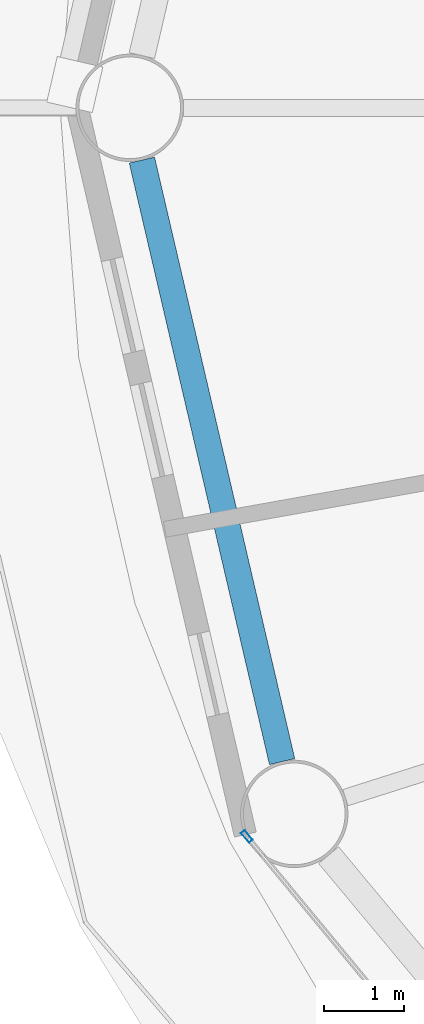
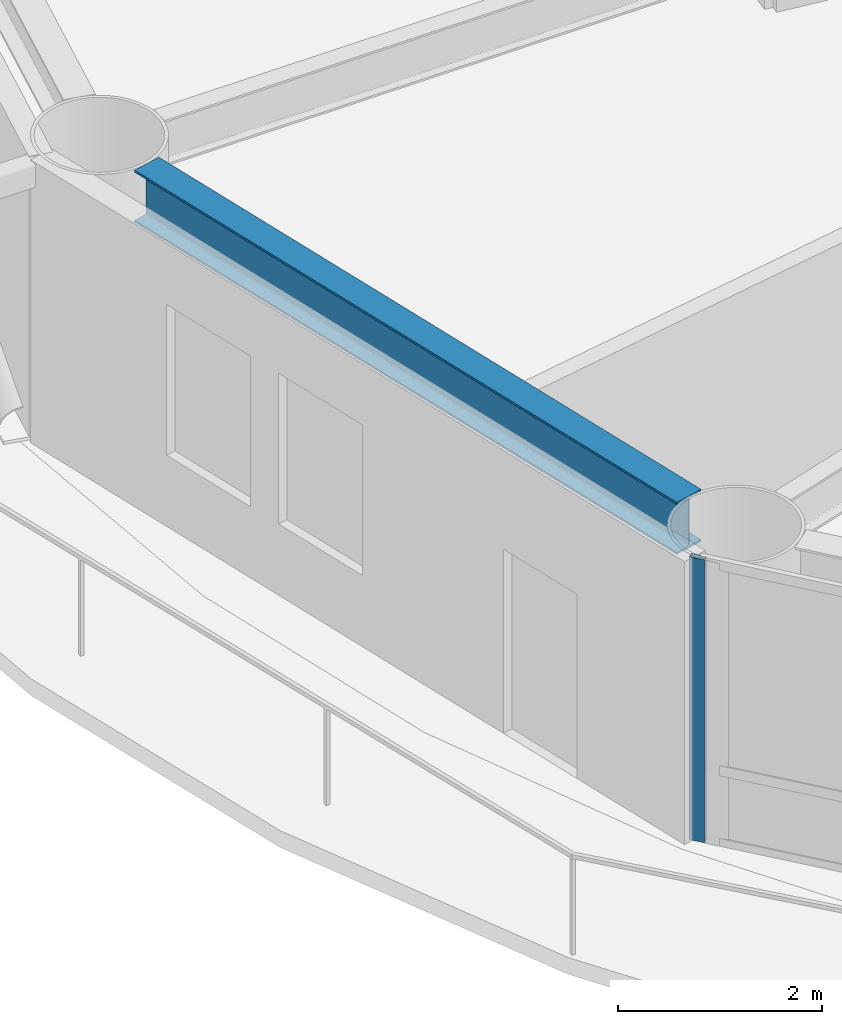
# One storey, part 4 of 26: 1 beam, 1 member, 1 element without a shape of its own.
"""IFC4 building model written with IfcOpenShell, lengths in metres."""

import ifcopenshell
import ifcopenshell.guid

model = None  # the IFC model being written
_history = None  # IfcOwnerHistory: only IFC2X3 demands one
_inside = {}  # id of a spatial element -> (the spatial element, [elements in it])
_under = {}  # id of a project, library or spatial element -> (it, [spatial elements below it])
_declared = {}  # id of a project -> (the project, [libraries it declares])
_typed = {}  # id of a type object -> (the type object, [elements of that type])
_made_of = {}  # id of a material, layer set ... -> (it, [elements and type objects made of it])


def new_model(schema):
    """Start an empty IFC model of exactly this schema.

    Asked for "IFC4X3", IfcOpenShell would pick the latest addendum, in which some entities
    have other attributes; the version numbers below select the first issue.
    IFC2X3 requires an IfcOwnerHistory on every rooted entity: one is made here for all.
    """
    global model, _history
    if schema == "IFC4X3":
        model = ifcopenshell.file(schema_version=(4, 3, 0, 0))
    else:
        model = ifcopenshell.file(schema=schema)
    _inside.clear()
    _under.clear()
    _declared.clear()
    _typed.clear()
    _made_of.clear()
    _history = None
    if model.schema == "IFC2X3":
        org = make("IfcOrganization", Name="unknown")
        user = make(
            "IfcPersonAndOrganization",
            ThePerson=make("IfcPerson", FamilyName="unknown"),
            TheOrganization=org,
        )
        app = make(
            "IfcApplication",
            ApplicationDeveloper=org,
            Version="unknown",
            ApplicationFullName="unknown",
            ApplicationIdentifier="unknown",
        )
        _history = make(
            "IfcOwnerHistory",
            OwningUser=user,
            OwningApplication=app,
            ChangeAction="ADDED",
            CreationDate=0,
        )
    return model


def make(cls, **values):
    """One entity of the class cls with the attributes given. An attribute that is None is left unset."""
    return model.create_entity(
        cls, **{name: value for name, value in values.items() if value is not None}
    )


def rooted(cls, **values):
    """An entity with a GlobalId (a new one), such as an element, a storey or a relation."""
    return make(cls, GlobalId=ifcopenshell.guid.new(), OwnerHistory=_history, **values)


def si_unit(unit_type, name, prefix=None):
    """IfcSIUnit, for example si_unit("LENGTHUNIT", "METRE", prefix="MILLI")."""
    return make("IfcSIUnit", UnitType=unit_type, Prefix=prefix, Name=name)


def assignment(units):
    """IfcUnitAssignment: the units of a project."""
    return None if units is None else make("IfcUnitAssignment", Units=units)


def point(xyz):
    """IfcCartesianPoint."""
    return None if xyz is None else make("IfcCartesianPoint", Coordinates=xyz)


def direction(xyz):
    """IfcDirection."""
    return None if xyz is None else make("IfcDirection", DirectionRatios=xyz)


def frame(location, z_axis=None, x_axis=None):
    """IfcAxis2Placement3D, a coordinate frame: its origin and axes. An axis left out is left unset."""
    return make(
        "IfcAxis2Placement3D",
        Location=point(location),
        Axis=direction(z_axis),
        RefDirection=direction(x_axis),
    )


def frame_2d(location, x_axis=None):
    """IfcAxis2Placement2D, a coordinate frame in the plane: its origin and x axis."""
    return make(
        "IfcAxis2Placement2D", Location=point(location), RefDirection=direction(x_axis)
    )


def origin():
    """The frame at (0, 0, 0) with its axes left unset."""
    return frame((0.0, 0.0, 0.0))


def origin_2d():
    """The frame at (0, 0) in the plane with its x axis left unset."""
    return frame_2d((0.0, 0.0))


def place(relative_to, where):
    """IfcLocalPlacement: puts the frame where relative to a parent placement (None: the world)."""
    return make(
        "IfcLocalPlacement", PlacementRelTo=relative_to, RelativePlacement=where
    )


def context(
    kind, dimensions, precision=None, world=None, true_north=None, identifier=None
):
    """IfcGeometricRepresentationContext, for example the 3D "Model" context."""
    return make(
        "IfcGeometricRepresentationContext",
        ContextIdentifier=identifier,
        ContextType=kind,
        CoordinateSpaceDimension=dimensions,
        Precision=precision,
        WorldCoordinateSystem=world,
        TrueNorth=true_north,
    )


def subcontext(parent, identifier, kind, view, scale=None):
    """IfcGeometricRepresentationSubContext, for example "Body" below "Model"."""
    return make(
        "IfcGeometricRepresentationSubContext",
        ContextIdentifier=identifier,
        ContextType=kind,
        ParentContext=parent,
        TargetScale=scale,
        TargetView=view,
    )


def project(units=None, contexts=None):
    """IfcProject with its units and contexts."""
    return rooted(
        "IfcProject",
        Name="project",
        RepresentationContexts=contexts,
        UnitsInContext=assignment(units),
    )


def spatial(cls, under=None, at=None, **own):
    """A site, building, storey or space (cls), placed at a placement, below another one or the project."""
    s = rooted(cls, ObjectPlacement=at, **own)
    if under is not None:
        _under.setdefault(under.id(), (under, []))[1].append(s)
    return s


def profile(cls, at=None, kind="AREA", **sizes):
    """A parametric profile (cls). Its sizes go by their IFC names, for example OverallWidth=200.0."""
    return make(cls, ProfileType=kind, Position=at, **sizes)


def hollow_rectangle(**sizes):
    """IfcRectangleHollowProfileDef."""
    return profile("IfcRectangleHollowProfileDef", **sizes)


def i_section(**sizes):
    """IfcIShapeProfileDef."""
    return profile("IfcIShapeProfileDef", **sizes)


def extrude(swept, where, along, depth):
    """IfcExtrudedAreaSolid: the profile swept, set in the frame where, extruded along a direction by depth."""
    return make(
        "IfcExtrudedAreaSolid",
        SweptArea=swept,
        Position=where,
        ExtrudedDirection=direction(along),
        Depth=depth,
    )


def shape(context_of_items, identifier, shape_type, items):
    """IfcShapeRepresentation: the items that make up one representation, for example the "Body"."""
    return make(
        "IfcShapeRepresentation",
        ContextOfItems=context_of_items,
        RepresentationIdentifier=identifier,
        RepresentationType=shape_type,
        Items=items,
    )


def material(Name=None, Category=None):
    """IfcMaterial."""
    return make("IfcMaterial", Name=Name, Category=Category)


def layer(
    of_material, thickness, ventilated=None, Name=None, Category=None, Priority=None
):
    """IfcMaterialLayer: one layer of a wall or slab, of a material (None: an air gap)."""
    return make(
        "IfcMaterialLayer",
        Material=of_material,
        LayerThickness=thickness,
        IsVentilated=ventilated,
        Name=Name,
        Category=Category,
        Priority=Priority,
    )


def layer_set(layers, Name=None):
    """IfcMaterialLayerSet."""
    return make("IfcMaterialLayerSet", MaterialLayers=layers, LayerSetName=Name)


def material_profile(
    of_material, cross_section, Name=None, Category=None, Priority=None
):
    """IfcMaterialProfile: a cross section and its material."""
    return make(
        "IfcMaterialProfile",
        Name=Name,
        Material=of_material,
        Profile=cross_section,
        Priority=Priority,
        Category=Category,
    )


def profile_set(profiles, Name=None, composite=None):
    """IfcMaterialProfileSet."""
    return make(
        "IfcMaterialProfileSet",
        Name=Name,
        MaterialProfiles=profiles,
        CompositeProfile=composite,
    )


def made_of(thing, what):
    """Note that an element or type object is made of a material, layer set ...; save() writes the relation."""
    if what is not None:
        _made_of.setdefault(what.id(), (what, []))[1].append(thing)
    return thing


def type_object(cls, material=None, **own):
    """A type object (cls), such as IfcWallType, which elements share."""
    return made_of(rooted(cls, **own), material)


def element(
    cls,
    number,
    at=None,
    inside=None,
    cuts=None,
    type_object=None,
    material=None,
    context=None,
    identifier="Body",
    shape_type=None,
    held_by="IfcProductDefinitionShape",
    body=None,
    shapes=None,
    **own,
):
    """One element of the class cls, such as IfcWall. Its Tag is "e" and its number.

    at: its placement. inside: the storey or other place that contains it. cuts: it is an
    opening in that element (IfcRelVoidsElement). A single representation is given by context,
    identifier, shape_type and body (its items); several are given by shapes. held_by: the class
    of the entity that holds the representations. save() writes the other relations.
    """
    e = rooted(cls, Tag="e%d" % number, ObjectPlacement=at, **own)
    if body is not None:
        shapes = [shape(context, identifier, shape_type, body)]
    if shapes is not None:
        e.Representation = make(held_by, Representations=shapes)
    if inside is not None:
        _inside.setdefault(inside.id(), (inside, []))[1].append(e)
    if cuts is not None:
        rooted(
            "IfcRelVoidsElement", RelatingBuildingElement=cuts, RelatedOpeningElement=e
        )
    if type_object is not None:
        _typed.setdefault(type_object.id(), (type_object, []))[1].append(e)
    return made_of(e, material)


def aggregate(whole, parts):
    """IfcRelAggregates: a whole, such as a stair, and the parts it consists of."""
    return rooted("IfcRelAggregates", RelatingObject=whole, RelatedObjects=parts)


def save(model, path):
    """Write the relations noted so far, then the file.

    IfcRelAggregates (storeys below a building ...), IfcRelContainedInSpatialStructure (elements
    in a storey), IfcRelDefinesByType, IfcRelAssociatesMaterial and IfcRelDeclares: one each for
    every whole, place, type object, material and project.
    """
    for whole, parts in _under.values():
        aggregate(whole, parts)
    for where, things in _inside.values():
        rooted(
            "IfcRelContainedInSpatialStructure",
            RelatedElements=things,
            RelatingStructure=where,
        )
    for kind, things in _typed.values():
        rooted("IfcRelDefinesByType", RelatedObjects=things, RelatingType=kind)
    for what, things in _made_of.values():
        rooted("IfcRelAssociatesMaterial", RelatedObjects=things, RelatingMaterial=what)
    for by, libraries in _declared.values():
        rooted("IfcRelDeclares", RelatingContext=by, RelatedDefinitions=libraries)
    model.write(path)


model = new_model("IFC4")

# Units and contexts
model_context = context("Model", 3, precision=1e-05, world=origin(), true_north=direction((0.0, 1.0)))
body_context = subcontext(model_context, "Body", "Model", "MODEL_VIEW")
ifc_project = project(units=[si_unit("LENGTHUNIT", "METRE"), si_unit("AREAUNIT", "SQUARE_METRE"), si_unit("VOLUMEUNIT", "CUBIC_METRE"), si_unit("PLANEANGLEUNIT", "RADIAN"), si_unit("MASSUNIT", "GRAM", prefix="KILO")], contexts=[model_context])

# Site, building, storey
site_placement = place(None, origin())
site = spatial("IfcSite", under=ifc_project, at=site_placement, CompositionType="ELEMENT")
building_placement = place(site_placement, origin())
building = spatial("IfcBuilding", under=site, at=building_placement, Name="Sarneth Arch Tower", CompositionType="ELEMENT")
storey_placement = place(building_placement, frame((0.0, 0.0, 57.0)))
storey = spatial("IfcBuildingStorey", under=building, at=storey_placement, Name="L13", CompositionType="ELEMENT", Elevation=57.0)

# Beam
ifc_material_1 = material(Name="Steel S355", Category="steel")
ifc_material_profile_1 = material_profile(ifc_material_1, i_section(OverallWidth=0.326904296875, OverallDepth=0.6220703125, WebThickness=0.015380859375, FlangeThickness=0.0244140625, FilletRadius=0.01904296875, at=origin_2d()), Name="W610x195")
ifc_profile_set_1 = profile_set([ifc_material_profile_1], Name="Steel S355")
beam_type = type_object("IfcBeamType", Name="BM-SPAN-610A", PredefinedType="SPANDREL", material=ifc_profile_set_1)
beam_placement = place(storey_placement, frame((18.118408203125, 41.342529296875, 3.069091796875), z_axis=(0.227001042423, -0.973894515201, 0.0), x_axis=(0.973894515201, 0.227001042423, 0.0)))
element("IfcBeam", 1, at=beam_placement, inside=storey, type_object=beam_type, Name="L13 Perimeter spandrel beam 09", PredefinedType="SPANDREL", context=body_context, shape_type="SweptSolid", body=[
    extrude(i_section(OverallWidth=0.326904296875, OverallDepth=0.6220703125, WebThickness=0.015380859375, FlangeThickness=0.0244140625, FilletRadius=0.01904296875, at=origin_2d()), origin(), (0.0, 0.0, 1.0), 7.76611328125),
])

# Curtain wall, member
ifc_material_2 = material(Name="Anodised aluminium Type AA25 and solar-control low-e laminated IGU", Category="aluminium")
ifc_layer = layer(ifc_material_2, 0.159912109375)
ifc_layer_set = layer_set([ifc_layer], Name="Anodised aluminium Type AA25 and solar-control low-e laminated IGU")
curtain_wall_type = type_object("IfcCurtainWallType", Name="CW-HOTEL-LOW", PredefinedType="NOTDEFINED", material=ifc_layer_set)
curtain_wall_placement = place(storey_placement, origin())
curtain_wall = element("IfcCurtainWall", 2, at=curtain_wall_placement, inside=storey, type_object=curtain_wall_type, Name="L13 Unitised curtain wall facet 10", PredefinedType="NOTDEFINED")
ifc_material_3 = material(Name="Anodised Aluminium 6063-T6", Category="aluminium")
ifc_material_profile_2 = material_profile(ifc_material_3, hollow_rectangle(XDim=0.06005859375, YDim=0.159912109375, WallThickness=0.00390625, at=origin_2d()), Name="AL-MULL-160x60x4")
ifc_profile_set_2 = profile_set([ifc_material_profile_2], Name="Anodised Aluminium 6063-T6")
member_type = type_object("IfcMemberType", Name="CW-MULLION", PredefinedType="MULLION", material=ifc_profile_set_2)
member_placement = place(storey_placement, frame((19.438232421875, 32.83837890625, 0.0), z_axis=(0.0, 0.0, 1.0), x_axis=(0.770622960278, 0.637291340827, 0.0)))
member = element("IfcMember", 3, at=member_placement, type_object=member_type, Name="CW-SYS-3 mullion 1", PredefinedType="MULLION", context=body_context, shape_type="SweptSolid", body=[
    extrude(hollow_rectangle(XDim=0.06005859375, YDim=0.159912109375, WallThickness=0.00390625, at=origin_2d()), origin(), (0.0, 0.0, 1.0), 3.3798828125),
])
aggregate(curtain_wall, [member])

save(model, "model.ifc")
